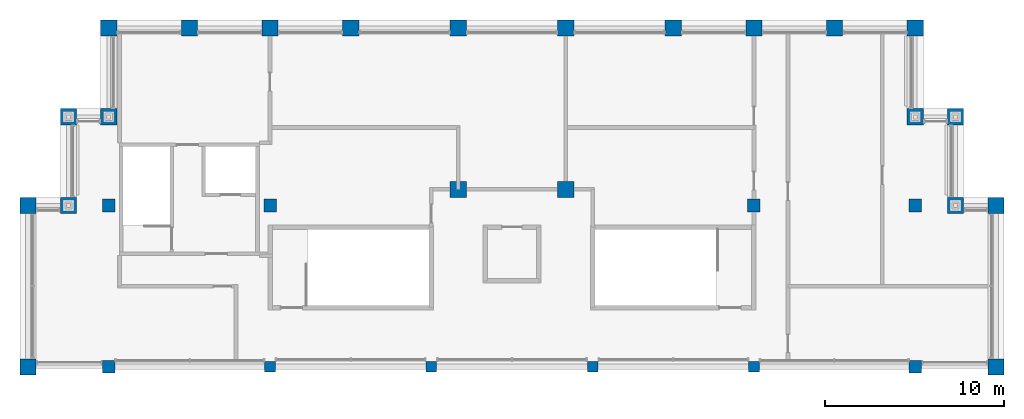
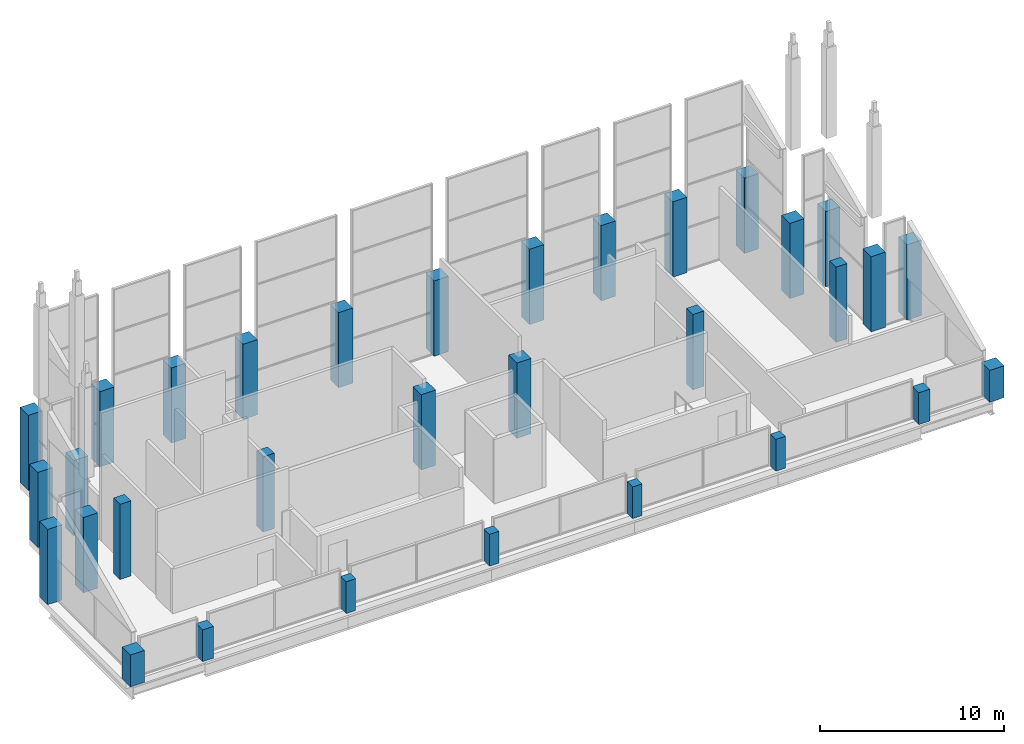
# One storey, part 1 of 9: 32 columns.
"""IFC4 building model written with IfcOpenShell, lengths in metres."""

from ifc_helpers import new_model, si_unit, direction, frame, origin, origin_2d, place, context, subcontext, project, spatial, rectangle, extrude, material, material_profile, profile_set, type_object, element, save


model = new_model("IFC4")

# Units and contexts
model_context = context("Model", 3, precision=1e-05, world=origin(), true_north=direction((0.0, 1.0)))
body_context = subcontext(model_context, "Body", "Model", "MODEL_VIEW")
ifc_project = project(units=[si_unit("LENGTHUNIT", "METRE"), si_unit("AREAUNIT", "SQUARE_METRE"), si_unit("VOLUMEUNIT", "CUBIC_METRE"), si_unit("PLANEANGLEUNIT", "RADIAN"), si_unit("MASSUNIT", "GRAM", prefix="KILO")], contexts=[model_context])

# Site, building, storey
site_placement = place(None, origin())
site = spatial("IfcSite", under=ifc_project, at=site_placement, CompositionType="ELEMENT")
building_placement = place(site_placement, origin())
building = spatial("IfcBuilding", under=site, at=building_placement, Name="Corbelhall Arena Tower", CompositionType="ELEMENT")
storey_placement = place(building_placement, frame((0.0, 0.0, 386.0)))
storey = spatial("IfcBuildingStorey", under=building, at=storey_placement, Name="L83", CompositionType="ELEMENT", Elevation=386.0)

# Columns
ifc_material = material(Name="Concrete C80/95", Category="concrete")
ifc_material_profile_1 = material_profile(ifc_material, rectangle(XDim=0.60009765625, YDim=0.60009765625, at=origin_2d()))
ifc_profile_set_1 = profile_set([ifc_material_profile_1], Name="Concrete C80/95")
column_type_1 = type_object("IfcColumnType", Name="ST-COL-RC 600x600", PredefinedType="COLUMN", material=ifc_profile_set_1)
for number, where, z_axis, x_axis, name in (
    (1, (4.5, 9.0, 0.0), (0.0, 0.0, 1.0), (1.0, 0.0, 0.0), "Column KE+0450+0900"),
    (2, (13.5, 9.0, 0.0), (0.0, 0.0, 1.0), (1.0, 0.0, 0.0), "Column KE+1350+0900"),
    (3, (-4.5, 9.0, 0.0), (0.0, 0.0, 1.0), (1.0, 0.0, 0.0), "Column KW-0450+0900"),
    (4, (-13.5, 9.0, 0.0), (0.0, 0.0, 1.0), (1.0, 0.0, 0.0), "Column KW-1350+0900"),
):
    element("IfcColumn", number, at=place(storey_placement, frame(where, z_axis=z_axis, x_axis=x_axis)), inside=storey, type_object=column_type_1, Name=name, PredefinedType="COLUMN", context=body_context, shape_type="SweptSolid", body=[
        extrude(rectangle(XDim=0.60009765625, YDim=0.60009765625, at=origin_2d()), origin(), (0.0, 0.0, 1.0), 2.112548828125),
    ])
ifc_material_profile_2 = material_profile(ifc_material, rectangle(XDim=0.699951171875, YDim=0.699951171875, at=origin_2d()))
ifc_profile_set_2 = profile_set([ifc_material_profile_2], Name="Concrete C80/95")
column_type_2 = type_object("IfcColumnType", Name="ST-COL-RC 700x700", PredefinedType="COLUMN", material=ifc_profile_set_2)
column_1_placement = place(storey_placement, frame((13.5, 18.0, 0.0), z_axis=(0.0, 0.0, 1.0), x_axis=(1.0, 0.0, 0.0)))
element("IfcColumn", 5, at=column_1_placement, inside=storey, type_object=column_type_2, Name="Column IE13+1800", PredefinedType="COLUMN", context=body_context, shape_type="SweptSolid", body=[
    extrude(rectangle(XDim=0.699951171875, YDim=0.699951171875, at=origin_2d()), origin(), (0.0, 0.0, 1.0), 5.0),
])
column_2_placement = place(storey_placement, frame((22.5, 9.0, 0.0), z_axis=(0.0, 0.0, 1.0), x_axis=(1.0, 0.0, 0.0)))
element("IfcColumn", 6, at=column_2_placement, inside=storey, type_object=column_type_2, Name="Column IE22+0900", PredefinedType="COLUMN", context=body_context, shape_type="SweptSolid", body=[
    extrude(rectangle(XDim=0.699951171875, YDim=0.699951171875, at=origin_2d()), origin(), (0.0, 0.0, 1.0), 2.112548828125),
])
for number, where, z_axis, x_axis, name in (
    (7, (22.5, 18.0, 0.0), (0.0, 0.0, 1.0), (1.0, 0.0, 0.0), "Column IE22+1800"),
    (8, (-13.5, 18.0, 0.0), (0.0, 0.0, 1.0), (1.0, 0.0, 0.0), "Column IW13+1800"),
):
    element("IfcColumn", number, at=place(storey_placement, frame(where, z_axis=z_axis, x_axis=x_axis)), inside=storey, type_object=column_type_2, Name=name, PredefinedType="COLUMN", context=body_context, shape_type="SweptSolid", body=[
        extrude(rectangle(XDim=0.699951171875, YDim=0.699951171875, at=origin_2d()), origin(), (0.0, 0.0, 1.0), 5.0),
    ])
column_3_placement = place(storey_placement, frame((-22.5, 9.0, 0.0), z_axis=(0.0, 0.0, 1.0), x_axis=(1.0, 0.0, 0.0)))
element("IfcColumn", 9, at=column_3_placement, inside=storey, type_object=column_type_2, Name="Column IW22+0900", PredefinedType="COLUMN", context=body_context, shape_type="SweptSolid", body=[
    extrude(rectangle(XDim=0.699951171875, YDim=0.699951171875, at=origin_2d()), origin(), (0.0, 0.0, 1.0), 2.112548828125),
])
column_4_placement = place(storey_placement, frame((-22.5, 18.0, 0.0), z_axis=(0.0, 0.0, 1.0), x_axis=(1.0, 0.0, 0.0)))
element("IfcColumn", 10, at=column_4_placement, inside=storey, type_object=column_type_2, Name="Column IW22+1800", PredefinedType="COLUMN", context=body_context, shape_type="SweptSolid", body=[
    extrude(rectangle(XDim=0.699951171875, YDim=0.699951171875, at=origin_2d()), origin(), (0.0, 0.0, 1.0), 5.0),
])
ifc_material_profile_3 = material_profile(ifc_material, rectangle(XDim=0.89990234375, YDim=0.89990234375, at=origin_2d()))
ifc_profile_set_3 = profile_set([ifc_material_profile_3], Name="Concrete C80/95")
column_type_3 = type_object("IfcColumnType", Name="ST-COL-RC 900x900", PredefinedType="COLUMN", material=ifc_profile_set_3)
column_5_placement = place(storey_placement, frame((27.0, 9.0, 0.0), z_axis=(0.0, 0.0, 1.0), x_axis=(0.0, 1.0, 0.0)))
element("IfcColumn", 11, at=column_5_placement, inside=storey, type_object=column_type_3, Name="Column PE+0900", PredefinedType="COLUMN", context=body_context, shape_type="SweptSolid", body=[
    extrude(rectangle(XDim=0.89990234375, YDim=0.89990234375, at=origin_2d()), origin(), (0.0, 0.0, 1.0), 2.112548828125),
])
for number, where, z_axis, x_axis, name in (
    (12, (27.0, 18.0, 0.0), (0.0, 0.0, 1.0), (0.0, 1.0, 0.0), "Column PE+1800"),
    (13, (3.0, 27.89990234375, 0.0), (0.0, 0.0, 1.0), (1.0, 0.0, 0.0), "Column PNE0300"),
    (14, (9.0, 27.89990234375, 0.0), (0.0, 0.0, 1.0), (1.0, 0.0, 0.0), "Column PNE0900"),
    (15, (13.5, 27.89990234375, 0.0), (0.0, 0.0, 1.0), (1.0, 0.0, 0.0), "Column PNE1350"),
    (16, (18.0, 27.89990234375, 0.0), (0.0, 0.0, 1.0), (1.0, 0.0, 0.0), "Column PNE1800"),
    (17, (22.5, 27.89990234375, 0.0), (0.0, 0.0, 1.0), (1.0, 0.0, 0.0), "Column PNE2250"),
    (18, (-3.0, 27.89990234375, 0.0), (0.0, 0.0, 1.0), (1.0, 0.0, 0.0), "Column PNW0300"),
    (19, (-9.0, 27.89990234375, 0.0), (0.0, 0.0, 1.0), (1.0, 0.0, 0.0), "Column PNW0900"),
    (20, (-13.5, 27.89990234375, 0.0), (0.0, 0.0, 1.0), (1.0, 0.0, 0.0), "Column PNW1350"),
    (21, (-18.0, 27.89990234375, 0.0), (0.0, 0.0, 1.0), (1.0, 0.0, 0.0), "Column PNW1800"),
    (22, (-22.5, 27.89990234375, 0.0), (0.0, 0.0, 1.0), (1.0, 0.0, 0.0), "Column PNW2250"),
):
    element("IfcColumn", number, at=place(storey_placement, frame(where, z_axis=z_axis, x_axis=x_axis)), inside=storey, type_object=column_type_3, Name=name, PredefinedType="COLUMN", context=body_context, shape_type="SweptSolid", body=[
        extrude(rectangle(XDim=0.89990234375, YDim=0.89990234375, at=origin_2d()), origin(), (0.0, 0.0, 1.0), 5.0),
    ])
column_6_placement = place(storey_placement, frame((-27.0, 9.0, 0.0), z_axis=(0.0, 0.0, 1.0), x_axis=(0.0, 1.0, 0.0)))
element("IfcColumn", 23, at=column_6_placement, inside=storey, type_object=column_type_3, Name="Column PW+0900", PredefinedType="COLUMN", context=body_context, shape_type="SweptSolid", body=[
    extrude(rectangle(XDim=0.89990234375, YDim=0.89990234375, at=origin_2d()), origin(), (0.0, 0.0, 1.0), 2.112548828125),
])
for number, where, z_axis, x_axis, name in (
    (24, (-27.0, 18.0, 0.0), (0.0, 0.0, 1.0), (0.0, 1.0, 0.0), "Column PW+1800"),
    (25, (3.0, 18.89990234375, 0.0), (0.0, 0.0, 1.0), (1.0, 0.0, 0.0), "Column SLNE2"),
    (26, (-3.0, 18.89990234375, 0.0), (0.0, 0.0, 1.0), (1.0, 0.0, 0.0), "Column SLNW2"),
    (27, (22.5, 22.949951171875, 0.0), (0.0, 0.0, 1.0), (1.0, 0.0, 0.0), "Column XNE1"),
    (28, (24.75, 22.949951171875, 0.0), (0.0, 0.0, 1.0), (1.0, 0.0, 0.0), "Column XNE2"),
    (29, (24.75, 18.0, 0.0), (0.0, 0.0, 1.0), (1.0, 0.0, 0.0), "Column XNE3"),
    (30, (-22.5, 22.949951171875, 0.0), (0.0, 0.0, 1.0), (1.0, 0.0, 0.0), "Column XNW1"),
    (31, (-24.75, 22.949951171875, 0.0), (0.0, 0.0, 1.0), (1.0, 0.0, 0.0), "Column XNW2"),
    (32, (-24.75, 18.0, 0.0), (0.0, 0.0, 1.0), (1.0, 0.0, 0.0), "Column XNW3"),
):
    element("IfcColumn", number, at=place(storey_placement, frame(where, z_axis=z_axis, x_axis=x_axis)), inside=storey, type_object=column_type_3, Name=name, PredefinedType="COLUMN", context=body_context, shape_type="SweptSolid", body=[
        extrude(rectangle(XDim=0.89990234375, YDim=0.89990234375, at=origin_2d()), origin(), (0.0, 0.0, 1.0), 5.0),
    ])

save(model, "model.ifc")
